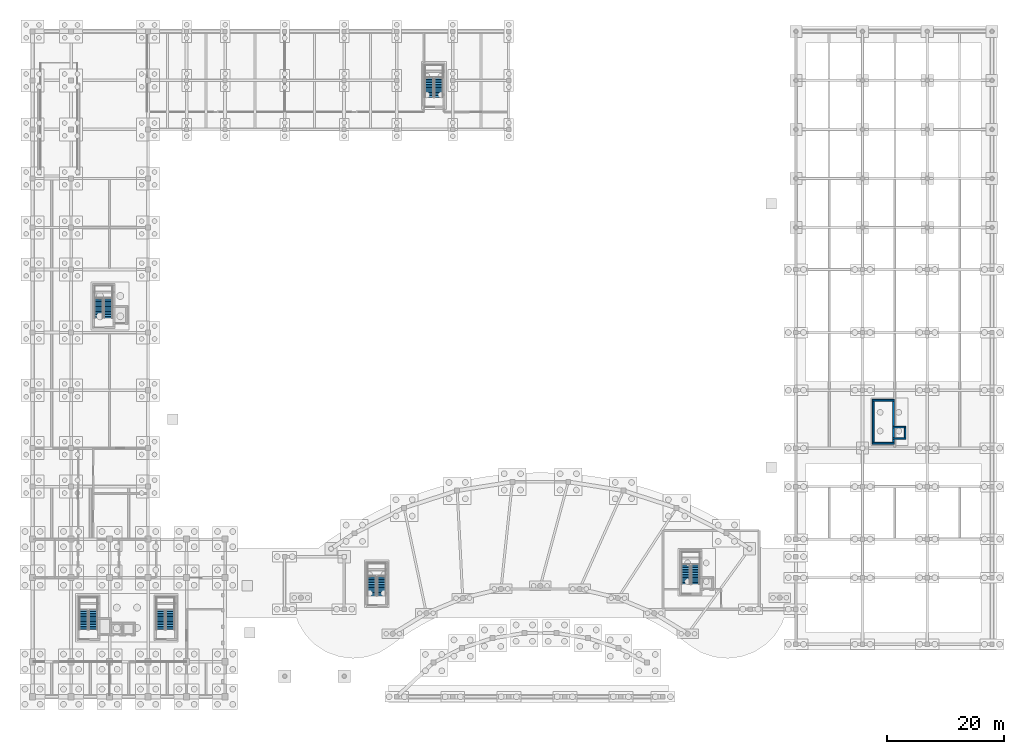
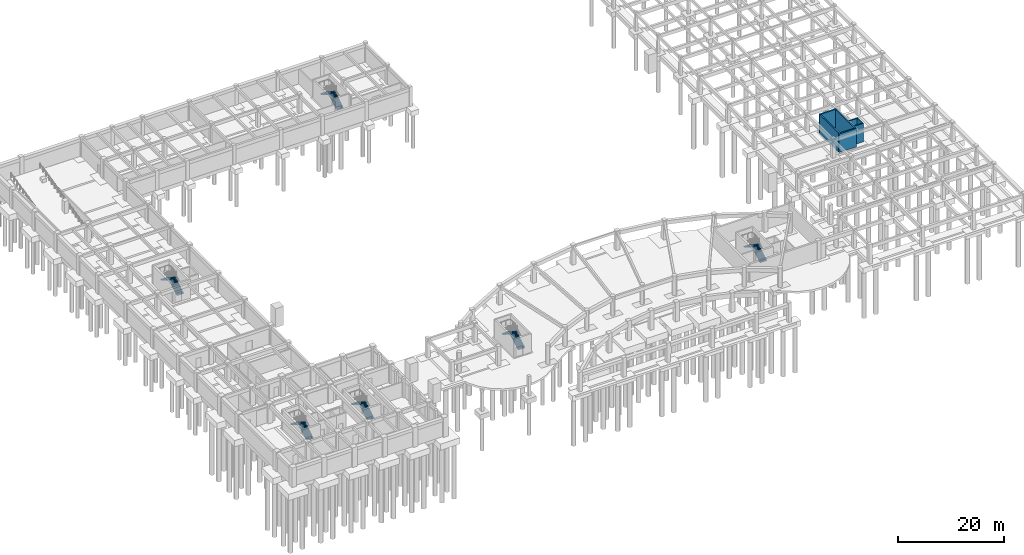
# One storey, part 21 of 28: 12 stair flights, 7 walls, 6 elements without a shape of their own.
"""IFC4 building model written with IfcOpenShell, lengths in metres."""

from ifc_helpers import new_model, si_unit, direction, frame, frame_2d, origin, place, context, subcontext, project, spatial, polyline, rectangle, outline, extrude, material, layer, layer_set, type_object, element, aggregate, save


model = new_model("IFC4")

# Units and contexts
model_context = context("Model", 3, precision=1e-05, world=origin(), true_north=direction((0.0, 1.0)))
body_context = subcontext(model_context, "Body", "Model", "MODEL_VIEW")
ifc_project = project(units=[si_unit("LENGTHUNIT", "METRE"), si_unit("AREAUNIT", "SQUARE_METRE"), si_unit("VOLUMEUNIT", "CUBIC_METRE"), si_unit("PLANEANGLEUNIT", "RADIAN"), si_unit("MASSUNIT", "GRAM", prefix="KILO")], contexts=[model_context])

# Site, building, storey
site_placement = place(None, origin())
site = spatial("IfcSite", under=ifc_project, at=site_placement, CompositionType="ELEMENT")
building_placement = place(site_placement, origin())
building = spatial("IfcBuilding", under=site, at=building_placement, Name="Miralva Faculty of Natural Sciences", CompositionType="ELEMENT")
storey_placement = place(building_placement, frame((0.0, 0.0, -4.5)))
storey = spatial("IfcBuildingStorey", under=building, at=storey_placement, Name="B1", CompositionType="ELEMENT", Elevation=-4.5)

# Walls
ifc_material = material(Name="Concrete C40/50", Category="concrete")
ifc_layer_1 = layer(ifc_material, 0.300048828125, Name="WL-CW03")
ifc_layer_set_1 = layer_set([ifc_layer_1], Name="Concrete C40/50")
wall_type_1 = type_object("IfcWallType", Name="WL-CW03", PredefinedType="SHEAR", material=ifc_layer_set_1)
for number, where, z_axis, x_axis, name in (
    (1, (146.89990234375, 46.449951171875, 0.0), (0.0, 0.0, 1.0), (1.0, 0.0, 0.0), "Core C4 shear wall south B1"),
    (2, (146.89990234375, 53.800048828125, 0.0), (0.0, 0.0, 1.0), (1.0, 0.0, 0.0), "Core C4 shear wall north B1"),
):
    element("IfcWall", number, at=place(storey_placement, frame(where, z_axis=z_axis, x_axis=x_axis)), inside=storey, type_object=wall_type_1, Name=name, PredefinedType="SHEAR", context=body_context, shape_type="SweptSolid", body=[
        extrude(rectangle(XDim=3.75, YDim=0.300048828125, at=frame_2d((1.875, 0.0))), origin(), (0.0, 0.0, 1.0), 4.280029296875),
    ])
for number, where, z_axis, x_axis, name in (
    (3, (147.050048828125, 46.60009765625, 0.0), (0.0, 0.0, 1.0), (0.0, 1.0, 0.0), "Core C4 shear wall west B1"),
    (4, (150.5, 46.60009765625, 0.0), (0.0, 0.0, 1.0), (0.0, 1.0, 0.0), "Core C4 shear wall east B1"),
):
    element("IfcWall", number, at=place(storey_placement, frame(where, z_axis=z_axis, x_axis=x_axis)), inside=storey, type_object=wall_type_1, Name=name, PredefinedType="SHEAR", context=body_context, shape_type="SweptSolid", body=[
        extrude(rectangle(XDim=7.0498046875, YDim=0.300048828125, at=frame_2d((3.52490234375, 0.0))), origin(), (0.0, 0.0, 1.0), 4.280029296875),
    ])
ifc_layer_2 = layer(ifc_material, 0.25, Name="WL-CW04")
ifc_layer_set_2 = layer_set([ifc_layer_2], Name="Concrete C40/50")
wall_type_2 = type_object("IfcWallType", Name="WL-CW04", PredefinedType="SHEAR", material=ifc_layer_set_2)
for number, where, z_axis, x_axis, name in (
    (5, (150.35498046875, 47.205078125, 0.0), (0.0, 0.0, 1.0), (1.0, 0.0, 0.0), "Lift L-06 hoistway front wall B1"),
    (6, (150.35498046875, 49.195068359375, 0.0), (0.0, 0.0, 1.0), (1.0, 0.0, 0.0), "Lift L-06 hoistway rear wall B1"),
):
    element("IfcWall", number, at=place(storey_placement, frame(where, z_axis=z_axis, x_axis=x_axis)), inside=storey, type_object=wall_type_2, Name=name, PredefinedType="SHEAR", context=body_context, shape_type="SweptSolid", body=[
        extrude(rectangle(XDim=2.2900390625, YDim=0.25, at=frame_2d((1.14501953125, 0.0))), origin(), (0.0, 0.0, 1.0), 4.260009765625),
    ])
wall_placement = place(storey_placement, frame((152.52001953125, 47.330078125, 0.0), z_axis=(0.0, 0.0, 1.0), x_axis=(0.0, 1.0, 0.0)))
element("IfcWall", 7, at=wall_placement, inside=storey, type_object=wall_type_2, Name="Lift L-06 hoistway E wall B1", PredefinedType="SHEAR", context=body_context, shape_type="SweptSolid", body=[
    extrude(rectangle(XDim=1.739990234375, YDim=0.25, at=frame_2d((0.8701171875, 0.0))), origin(), (0.0, 0.0, 1.0), 4.260009765625),
])

# Stair, stair flights
stair_type = type_object("IfcStairType", Name="ST-CORE-450", PredefinedType="HALF_TURN_STAIR", material=ifc_material)
stair_1_placement = place(storey_placement, origin())
stair_1 = element("IfcStair", 8, at=stair_1_placement, inside=storey, type_object=stair_type, Name="Exit Stair Core C1 (ST-03) B1", PredefinedType="HALF_TURN_STAIR")
ifc_layer_3 = layer(ifc_material, 0.159912109375, Name="SFL-160-166")
ifc_layer_set_3 = layer_set([ifc_layer_3], Name="Concrete C40/50")
stair_flight_type = type_object("IfcStairFlightType", Name="SFL-160-166", PredefinedType="STRAIGHT", material=ifc_layer_set_3)
stair_flight_1_placement = place(storey_placement, frame((13.39990234375, 14.5, 0.0), z_axis=(0.0, 0.0, 1.0), x_axis=(0.0, 1.0, 0.0)))
stair_flight_1 = element("IfcStairFlight", 9, at=stair_flight_1_placement, type_object=stair_flight_type, Name="ST-03 flight 1", NumberOfRisers=13, NumberOfTreads=12, PredefinedType="STRAIGHT", RiserHeight=0.173076923, TreadLength=0.28, context=body_context, shape_type="SweptSolid", body=[
    extrude(outline(polyline([(0.0, 0.0), (0.0, 0.173095703125), (0.280029296875, 0.173095703125), (0.280029296875, 0.34619140625), (0.56005859375, 0.34619140625), (0.56005859375, 0.519287109375), (0.840087890625, 0.519287109375), (0.840087890625, 0.6923828125), (1.1201171875, 0.6923828125), (1.1201171875, 0.865478515625), (1.39990234375, 0.865478515625), (1.39990234375, 1.03857421875), (1.679931640625, 1.03857421875), (1.679931640625, 1.21142578125), (1.9599609375, 1.21142578125), (1.9599609375, 1.384521484375), (2.239990234375, 1.384521484375), (2.239990234375, 1.5576171875), (2.52001953125, 1.5576171875), (2.52001953125, 1.730712890625), (2.800048828125, 1.730712890625), (2.800048828125, 1.90380859375), (3.080078125, 1.90380859375), (3.080078125, 2.076904296875), (3.360107421875, 2.076904296875), (3.360107421875, 2.25), (3.360107421875, 1.900634765625), (0.28515625, 0.0), (0.0, 0.0)])), frame((0.0, 0.75, 0.0), z_axis=(0.0, -1.0, 0.0), x_axis=(1.0, 0.0, 0.0)), (0.0, 0.0, 1.0), 1.5),
])
stair_flight_2_placement = place(storey_placement, frame((11.75, 17.860107421875, 2.25), z_axis=(0.0, 0.0, 1.0), x_axis=(0.0, -1.0, 0.0)))
stair_flight_2 = element("IfcStairFlight", 10, at=stair_flight_2_placement, type_object=stair_flight_type, Name="ST-03 flight 2", NumberOfRisers=13, NumberOfTreads=12, PredefinedType="STRAIGHT", RiserHeight=0.173076923, TreadLength=0.28, context=body_context, shape_type="SweptSolid", body=[
    extrude(outline(polyline([(0.0, 0.0), (0.0, 0.173095703125), (0.280029296875, 0.173095703125), (0.280029296875, 0.34619140625), (0.56005859375, 0.34619140625), (0.56005859375, 0.519287109375), (0.840087890625, 0.519287109375), (0.840087890625, 0.6923828125), (1.1201171875, 0.6923828125), (1.1201171875, 0.865478515625), (1.39990234375, 0.865478515625), (1.39990234375, 1.03857421875), (1.679931640625, 1.03857421875), (1.679931640625, 1.21142578125), (1.9599609375, 1.21142578125), (1.9599609375, 1.384521484375), (2.239990234375, 1.384521484375), (2.239990234375, 1.5576171875), (2.52001953125, 1.5576171875), (2.52001953125, 1.730712890625), (2.800048828125, 1.730712890625), (2.800048828125, 1.90380859375), (3.080078125, 1.90380859375), (3.080078125, 2.076904296875), (3.360107421875, 2.076904296875), (3.360107421875, 2.25), (3.360107421875, 1.900634765625), (0.28515625, 0.0), (0.0, 0.0)])), frame((0.0, 0.75, 0.0), z_axis=(0.0, -1.0, 0.0), x_axis=(1.0, 0.0, 0.0)), (0.0, 0.0, 1.0), 1.5),
])
aggregate(stair_1, [stair_flight_1, stair_flight_2])

stair_2_placement = place(storey_placement, origin())
stair_2 = element("IfcStair", 11, at=stair_2_placement, inside=storey, type_object=stair_type, Name="Exit Stair Core C1B (ST-03) B1", PredefinedType="HALF_TURN_STAIR")
stair_flight_3_placement = place(storey_placement, frame((26.60009765625, 14.5, 0.0), z_axis=(0.0, 0.0, 1.0), x_axis=(0.0, 1.0, 0.0)))
stair_flight_3 = element("IfcStairFlight", 12, at=stair_flight_3_placement, type_object=stair_flight_type, Name="ST-03 flight 1", NumberOfRisers=13, NumberOfTreads=12, PredefinedType="STRAIGHT", RiserHeight=0.173076923, TreadLength=0.28, context=body_context, shape_type="SweptSolid", body=[
    extrude(outline(polyline([(0.0, 0.0), (0.0, 0.173095703125), (0.280029296875, 0.173095703125), (0.280029296875, 0.34619140625), (0.56005859375, 0.34619140625), (0.56005859375, 0.519287109375), (0.840087890625, 0.519287109375), (0.840087890625, 0.6923828125), (1.1201171875, 0.6923828125), (1.1201171875, 0.865478515625), (1.39990234375, 0.865478515625), (1.39990234375, 1.03857421875), (1.679931640625, 1.03857421875), (1.679931640625, 1.21142578125), (1.9599609375, 1.21142578125), (1.9599609375, 1.384521484375), (2.239990234375, 1.384521484375), (2.239990234375, 1.5576171875), (2.52001953125, 1.5576171875), (2.52001953125, 1.730712890625), (2.800048828125, 1.730712890625), (2.800048828125, 1.90380859375), (3.080078125, 1.90380859375), (3.080078125, 2.076904296875), (3.360107421875, 2.076904296875), (3.360107421875, 2.25), (3.360107421875, 1.900634765625), (0.28515625, 0.0), (0.0, 0.0)])), frame((0.0, 0.75, 0.0), z_axis=(0.0, -1.0, 0.0), x_axis=(1.0, 0.0, 0.0)), (0.0, 0.0, 1.0), 1.5),
])
stair_flight_4_placement = place(storey_placement, frame((24.949951171875, 17.860107421875, 2.25), z_axis=(0.0, 0.0, 1.0), x_axis=(0.0, -1.0, 0.0)))
stair_flight_4 = element("IfcStairFlight", 13, at=stair_flight_4_placement, type_object=stair_flight_type, Name="ST-03 flight 2", NumberOfRisers=13, NumberOfTreads=12, PredefinedType="STRAIGHT", RiserHeight=0.173076923, TreadLength=0.28, context=body_context, shape_type="SweptSolid", body=[
    extrude(outline(polyline([(0.0, 0.0), (0.0, 0.173095703125), (0.280029296875, 0.173095703125), (0.280029296875, 0.34619140625), (0.56005859375, 0.34619140625), (0.56005859375, 0.519287109375), (0.840087890625, 0.519287109375), (0.840087890625, 0.6923828125), (1.1201171875, 0.6923828125), (1.1201171875, 0.865478515625), (1.39990234375, 0.865478515625), (1.39990234375, 1.03857421875), (1.679931640625, 1.03857421875), (1.679931640625, 1.21142578125), (1.9599609375, 1.21142578125), (1.9599609375, 1.384521484375), (2.239990234375, 1.384521484375), (2.239990234375, 1.5576171875), (2.52001953125, 1.5576171875), (2.52001953125, 1.730712890625), (2.800048828125, 1.730712890625), (2.800048828125, 1.90380859375), (3.080078125, 1.90380859375), (3.080078125, 2.076904296875), (3.360107421875, 2.076904296875), (3.360107421875, 2.25), (3.360107421875, 1.900634765625), (0.28515625, 0.0), (0.0, 0.0)])), frame((0.0, 0.75, 0.0), z_axis=(0.0, -1.0, 0.0), x_axis=(1.0, 0.0, 0.0)), (0.0, 0.0, 1.0), 1.5),
])
aggregate(stair_2, [stair_flight_3, stair_flight_4])

stair_3_placement = place(storey_placement, origin())
stair_3 = element("IfcStair", 14, at=stair_3_placement, inside=storey, type_object=stair_type, Name="Exit Stair Core C2 (ST-03) B1", PredefinedType="HALF_TURN_STAIR")
stair_flight_5_placement = place(storey_placement, frame((16.0, 67.89990234375, 0.0), z_axis=(0.0, 0.0, 1.0), x_axis=(0.0, 1.0, 0.0)))
stair_flight_5 = element("IfcStairFlight", 15, at=stair_flight_5_placement, type_object=stair_flight_type, Name="ST-03 flight 1", NumberOfRisers=13, NumberOfTreads=12, PredefinedType="STRAIGHT", RiserHeight=0.173076923, TreadLength=0.28, context=body_context, shape_type="SweptSolid", body=[
    extrude(outline(polyline([(0.0, 0.0), (0.0, 0.173095703125), (0.280029296875, 0.173095703125), (0.280029296875, 0.34619140625), (0.56005859375, 0.34619140625), (0.56005859375, 0.519287109375), (0.840087890625, 0.519287109375), (0.840087890625, 0.6923828125), (1.1201171875, 0.6923828125), (1.1201171875, 0.865478515625), (1.39990234375, 0.865478515625), (1.39990234375, 1.03857421875), (1.679931640625, 1.03857421875), (1.679931640625, 1.21142578125), (1.9599609375, 1.21142578125), (1.9599609375, 1.384521484375), (2.239990234375, 1.384521484375), (2.239990234375, 1.5576171875), (2.52001953125, 1.5576171875), (2.52001953125, 1.730712890625), (2.800048828125, 1.730712890625), (2.800048828125, 1.90380859375), (3.080078125, 1.90380859375), (3.080078125, 2.076904296875), (3.360107421875, 2.076904296875), (3.360107421875, 2.25), (3.360107421875, 1.900634765625), (0.28515625, 0.0), (0.0, 0.0)])), frame((0.0, 0.75, 0.0), z_axis=(0.0, -1.0, 0.0), x_axis=(1.0, 0.0, 0.0)), (0.0, 0.0, 1.0), 1.5),
])
stair_flight_6_placement = place(storey_placement, frame((14.35009765625, 71.260009765625, 2.25), z_axis=(0.0, 0.0, 1.0), x_axis=(0.0, -1.0, 0.0)))
stair_flight_6 = element("IfcStairFlight", 16, at=stair_flight_6_placement, type_object=stair_flight_type, Name="ST-03 flight 2", NumberOfRisers=13, NumberOfTreads=12, PredefinedType="STRAIGHT", RiserHeight=0.173076923, TreadLength=0.28, context=body_context, shape_type="SweptSolid", body=[
    extrude(outline(polyline([(0.0, 0.0), (0.0, 0.173095703125), (0.280029296875, 0.173095703125), (0.280029296875, 0.34619140625), (0.56005859375, 0.34619140625), (0.56005859375, 0.519287109375), (0.840087890625, 0.519287109375), (0.840087890625, 0.6923828125), (1.1201171875, 0.6923828125), (1.1201171875, 0.865478515625), (1.39990234375, 0.865478515625), (1.39990234375, 1.03857421875), (1.679931640625, 1.03857421875), (1.679931640625, 1.21142578125), (1.9599609375, 1.21142578125), (1.9599609375, 1.384521484375), (2.239990234375, 1.384521484375), (2.239990234375, 1.5576171875), (2.52001953125, 1.5576171875), (2.52001953125, 1.730712890625), (2.800048828125, 1.730712890625), (2.800048828125, 1.90380859375), (3.080078125, 1.90380859375), (3.080078125, 2.076904296875), (3.360107421875, 2.076904296875), (3.360107421875, 2.25), (3.360107421875, 1.900634765625), (0.28515625, 0.0), (0.0, 0.0)])), frame((0.0, 0.75, 0.0), z_axis=(0.0, -1.0, 0.0), x_axis=(1.0, 0.0, 0.0)), (0.0, 0.0, 1.0), 1.5),
])
aggregate(stair_3, [stair_flight_5, stair_flight_6])

stair_4_placement = place(storey_placement, origin())
stair_4 = element("IfcStair", 17, at=stair_4_placement, inside=storey, type_object=stair_type, Name="Exit Stair Core C3 (ST-03) B1", PredefinedType="HALF_TURN_STAIR")
stair_flight_7_placement = place(storey_placement, frame((116.60009765625, 22.300048828125, 0.0), z_axis=(0.0, 0.0, 1.0), x_axis=(0.0, 1.0, 0.0)))
stair_flight_7 = element("IfcStairFlight", 18, at=stair_flight_7_placement, type_object=stair_flight_type, Name="ST-03 flight 1", NumberOfRisers=13, NumberOfTreads=12, PredefinedType="STRAIGHT", RiserHeight=0.173076923, TreadLength=0.28, context=body_context, shape_type="SweptSolid", body=[
    extrude(outline(polyline([(0.0, 0.0), (0.0, 0.173095703125), (0.280029296875, 0.173095703125), (0.280029296875, 0.34619140625), (0.56005859375, 0.34619140625), (0.56005859375, 0.519287109375), (0.840087890625, 0.519287109375), (0.840087890625, 0.6923828125), (1.1201171875, 0.6923828125), (1.1201171875, 0.865478515625), (1.39990234375, 0.865478515625), (1.39990234375, 1.03857421875), (1.679931640625, 1.03857421875), (1.679931640625, 1.21142578125), (1.9599609375, 1.21142578125), (1.9599609375, 1.384521484375), (2.239990234375, 1.384521484375), (2.239990234375, 1.5576171875), (2.52001953125, 1.5576171875), (2.52001953125, 1.730712890625), (2.800048828125, 1.730712890625), (2.800048828125, 1.90380859375), (3.080078125, 1.90380859375), (3.080078125, 2.076904296875), (3.360107421875, 2.076904296875), (3.360107421875, 2.25), (3.360107421875, 1.900634765625), (0.28515625, 0.0), (0.0, 0.0)])), frame((0.0, 0.75, 0.0), z_axis=(0.0, -1.0, 0.0), x_axis=(1.0, 0.0, 0.0)), (0.0, 0.0, 1.0), 1.5),
])
stair_flight_8_placement = place(storey_placement, frame((114.949951171875, 25.659912109375, 2.25), z_axis=(0.0, 0.0, 1.0), x_axis=(0.0, -1.0, 0.0)))
stair_flight_8 = element("IfcStairFlight", 19, at=stair_flight_8_placement, type_object=stair_flight_type, Name="ST-03 flight 2", NumberOfRisers=13, NumberOfTreads=12, PredefinedType="STRAIGHT", RiserHeight=0.173076923, TreadLength=0.28, context=body_context, shape_type="SweptSolid", body=[
    extrude(outline(polyline([(0.0, 0.0), (0.0, 0.173095703125), (0.280029296875, 0.173095703125), (0.280029296875, 0.34619140625), (0.56005859375, 0.34619140625), (0.56005859375, 0.519287109375), (0.840087890625, 0.519287109375), (0.840087890625, 0.6923828125), (1.1201171875, 0.6923828125), (1.1201171875, 0.865478515625), (1.39990234375, 0.865478515625), (1.39990234375, 1.03857421875), (1.679931640625, 1.03857421875), (1.679931640625, 1.21142578125), (1.9599609375, 1.21142578125), (1.9599609375, 1.384521484375), (2.239990234375, 1.384521484375), (2.239990234375, 1.5576171875), (2.52001953125, 1.5576171875), (2.52001953125, 1.730712890625), (2.800048828125, 1.730712890625), (2.800048828125, 1.90380859375), (3.080078125, 1.90380859375), (3.080078125, 2.076904296875), (3.360107421875, 2.076904296875), (3.360107421875, 2.25), (3.360107421875, 1.900634765625), (0.28515625, 0.0), (0.0, 0.0)])), frame((0.0, 0.75, 0.0), z_axis=(0.0, -1.0, 0.0), x_axis=(1.0, 0.0, 0.0)), (0.0, 0.0, 1.0), 1.5),
])
aggregate(stair_4, [stair_flight_7, stair_flight_8])

stair_5_placement = place(storey_placement, origin())
stair_5 = element("IfcStair", 20, at=stair_5_placement, inside=storey, type_object=stair_type, Name="Exit Stair Core C5 (ST-03) B1", PredefinedType="HALF_TURN_STAIR")
stair_flight_9_placement = place(storey_placement, frame((72.60009765625, 105.699951171875, 0.0), z_axis=(0.0, 0.0, 1.0), x_axis=(0.0, 1.0, 0.0)))
stair_flight_9 = element("IfcStairFlight", 21, at=stair_flight_9_placement, type_object=stair_flight_type, Name="ST-03 flight 1", NumberOfRisers=13, NumberOfTreads=12, PredefinedType="STRAIGHT", RiserHeight=0.173076923, TreadLength=0.28, context=body_context, shape_type="SweptSolid", body=[
    extrude(outline(polyline([(0.0, 0.0), (0.0, 0.173095703125), (0.280029296875, 0.173095703125), (0.280029296875, 0.34619140625), (0.56005859375, 0.34619140625), (0.56005859375, 0.519287109375), (0.840087890625, 0.519287109375), (0.840087890625, 0.6923828125), (1.1201171875, 0.6923828125), (1.1201171875, 0.865478515625), (1.39990234375, 0.865478515625), (1.39990234375, 1.03857421875), (1.679931640625, 1.03857421875), (1.679931640625, 1.21142578125), (1.9599609375, 1.21142578125), (1.9599609375, 1.384521484375), (2.239990234375, 1.384521484375), (2.239990234375, 1.5576171875), (2.52001953125, 1.5576171875), (2.52001953125, 1.730712890625), (2.800048828125, 1.730712890625), (2.800048828125, 1.90380859375), (3.080078125, 1.90380859375), (3.080078125, 2.076904296875), (3.360107421875, 2.076904296875), (3.360107421875, 2.25), (3.360107421875, 1.900634765625), (0.28515625, 0.0), (0.0, 0.0)])), frame((0.0, 0.75, 0.0), z_axis=(0.0, -1.0, 0.0), x_axis=(1.0, 0.0, 0.0)), (0.0, 0.0, 1.0), 1.5),
])
stair_flight_10_placement = place(storey_placement, frame((70.949951171875, 109.06005859375, 2.25), z_axis=(0.0, 0.0, 1.0), x_axis=(0.0, -1.0, 0.0)))
stair_flight_10 = element("IfcStairFlight", 22, at=stair_flight_10_placement, type_object=stair_flight_type, Name="ST-03 flight 2", NumberOfRisers=13, NumberOfTreads=12, PredefinedType="STRAIGHT", RiserHeight=0.173076923, TreadLength=0.28, context=body_context, shape_type="SweptSolid", body=[
    extrude(outline(polyline([(0.0, 0.0), (0.0, 0.173095703125), (0.280029296875, 0.173095703125), (0.280029296875, 0.34619140625), (0.56005859375, 0.34619140625), (0.56005859375, 0.519287109375), (0.840087890625, 0.519287109375), (0.840087890625, 0.6923828125), (1.1201171875, 0.6923828125), (1.1201171875, 0.865478515625), (1.39990234375, 0.865478515625), (1.39990234375, 1.03857421875), (1.679931640625, 1.03857421875), (1.679931640625, 1.21142578125), (1.9599609375, 1.21142578125), (1.9599609375, 1.384521484375), (2.239990234375, 1.384521484375), (2.239990234375, 1.5576171875), (2.52001953125, 1.5576171875), (2.52001953125, 1.730712890625), (2.800048828125, 1.730712890625), (2.800048828125, 1.90380859375), (3.080078125, 1.90380859375), (3.080078125, 2.076904296875), (3.360107421875, 2.076904296875), (3.360107421875, 2.25), (3.360107421875, 1.900634765625), (0.28515625, 0.0), (0.0, 0.0)])), frame((0.0, 0.75, 0.0), z_axis=(0.0, -1.0, 0.0), x_axis=(1.0, 0.0, 0.0)), (0.0, 0.0, 1.0), 1.5),
])
aggregate(stair_5, [stair_flight_9, stair_flight_10])

stair_6_placement = place(storey_placement, origin())
stair_6 = element("IfcStair", 23, at=stair_6_placement, inside=storey, type_object=stair_type, Name="Exit Stair Core C6 (ST-03) B1", PredefinedType="HALF_TURN_STAIR")
stair_flight_11_placement = place(storey_placement, frame((62.800048828125, 20.300048828125, 0.0), z_axis=(0.0, 0.0, 1.0), x_axis=(0.0, 1.0, 0.0)))
stair_flight_11 = element("IfcStairFlight", 24, at=stair_flight_11_placement, type_object=stair_flight_type, Name="ST-03 flight 1", NumberOfRisers=13, NumberOfTreads=12, PredefinedType="STRAIGHT", RiserHeight=0.173076923, TreadLength=0.28, context=body_context, shape_type="SweptSolid", body=[
    extrude(outline(polyline([(0.0, 0.0), (0.0, 0.173095703125), (0.280029296875, 0.173095703125), (0.280029296875, 0.34619140625), (0.56005859375, 0.34619140625), (0.56005859375, 0.519287109375), (0.840087890625, 0.519287109375), (0.840087890625, 0.6923828125), (1.1201171875, 0.6923828125), (1.1201171875, 0.865478515625), (1.39990234375, 0.865478515625), (1.39990234375, 1.03857421875), (1.679931640625, 1.03857421875), (1.679931640625, 1.21142578125), (1.9599609375, 1.21142578125), (1.9599609375, 1.384521484375), (2.239990234375, 1.384521484375), (2.239990234375, 1.5576171875), (2.52001953125, 1.5576171875), (2.52001953125, 1.730712890625), (2.800048828125, 1.730712890625), (2.800048828125, 1.90380859375), (3.080078125, 1.90380859375), (3.080078125, 2.076904296875), (3.360107421875, 2.076904296875), (3.360107421875, 2.25), (3.360107421875, 1.900634765625), (0.28515625, 0.0), (0.0, 0.0)])), frame((0.0, 0.75, 0.0), z_axis=(0.0, -1.0, 0.0), x_axis=(1.0, 0.0, 0.0)), (0.0, 0.0, 1.0), 1.5),
])
stair_flight_12_placement = place(storey_placement, frame((61.14990234375, 23.659912109375, 2.25), z_axis=(0.0, 0.0, 1.0), x_axis=(0.0, -1.0, 0.0)))
stair_flight_12 = element("IfcStairFlight", 25, at=stair_flight_12_placement, type_object=stair_flight_type, Name="ST-03 flight 2", NumberOfRisers=13, NumberOfTreads=12, PredefinedType="STRAIGHT", RiserHeight=0.173076923, TreadLength=0.28, context=body_context, shape_type="SweptSolid", body=[
    extrude(outline(polyline([(0.0, 0.0), (0.0, 0.173095703125), (0.280029296875, 0.173095703125), (0.280029296875, 0.34619140625), (0.56005859375, 0.34619140625), (0.56005859375, 0.519287109375), (0.840087890625, 0.519287109375), (0.840087890625, 0.6923828125), (1.1201171875, 0.6923828125), (1.1201171875, 0.865478515625), (1.39990234375, 0.865478515625), (1.39990234375, 1.03857421875), (1.679931640625, 1.03857421875), (1.679931640625, 1.21142578125), (1.9599609375, 1.21142578125), (1.9599609375, 1.384521484375), (2.239990234375, 1.384521484375), (2.239990234375, 1.5576171875), (2.52001953125, 1.5576171875), (2.52001953125, 1.730712890625), (2.800048828125, 1.730712890625), (2.800048828125, 1.90380859375), (3.080078125, 1.90380859375), (3.080078125, 2.076904296875), (3.360107421875, 2.076904296875), (3.360107421875, 2.25), (3.360107421875, 1.900634765625), (0.28515625, 0.0), (0.0, 0.0)])), frame((0.0, 0.75, 0.0), z_axis=(0.0, -1.0, 0.0), x_axis=(1.0, 0.0, 0.0)), (0.0, 0.0, 1.0), 1.5),
])
aggregate(stair_6, [stair_flight_11, stair_flight_12])

save(model, "model.ifc")
